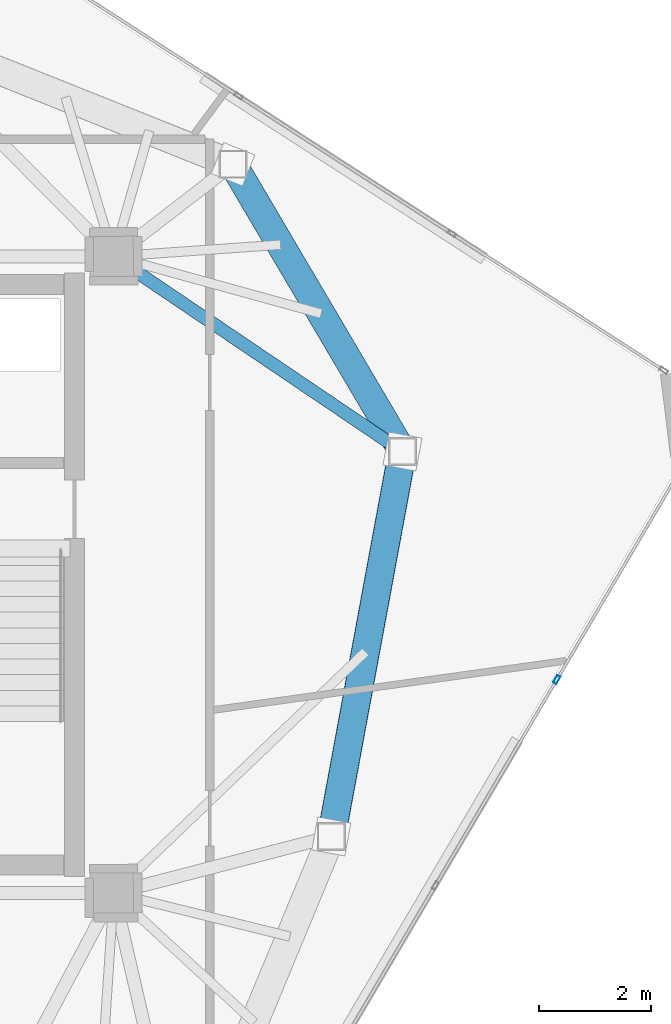
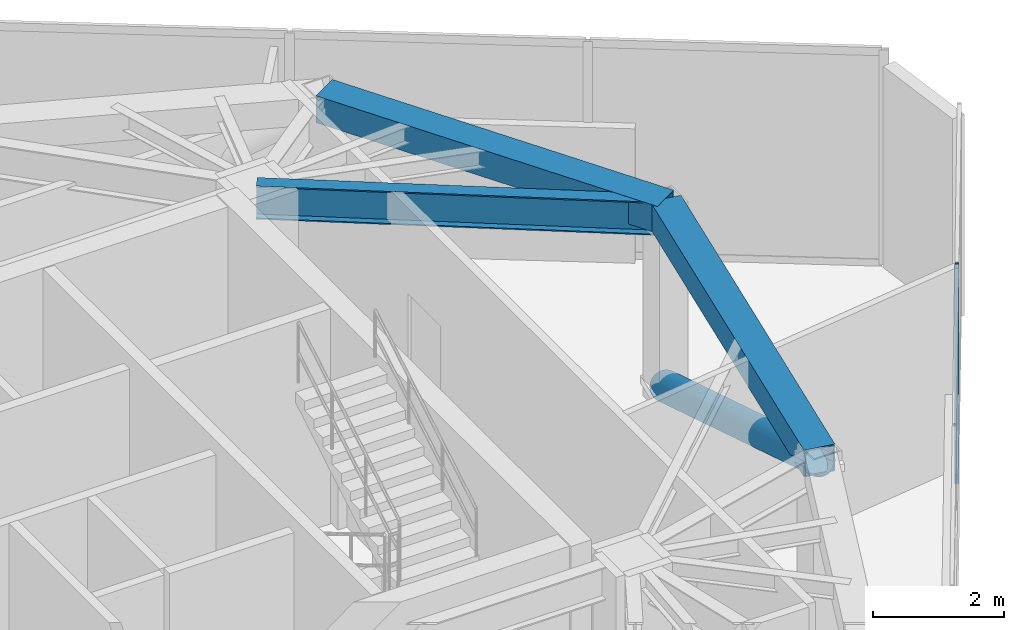
# One storey, part 11 of 19: 3 beams, 2 members, 1 element without a shape of its own.
"""IFC4 building model written with IfcOpenShell, lengths in metres."""

from ifc_helpers import new_model, si_unit, direction, frame, origin, origin_2d, place, context, subcontext, project, spatial, hollow_rectangle, hollow_circle, i_section, extrude, source, transform, mapped, material, layer, layer_set, material_profile, profile_set, type_object, type_shapes, element, aggregate, save


model = new_model("IFC4")

# Units and contexts
model_context = context("Model", 3, precision=1e-05, world=origin(), true_north=direction((0.0, 1.0)))
body_context = subcontext(model_context, "Body", "Model", "MODEL_VIEW")
ifc_project = project(units=[si_unit("LENGTHUNIT", "METRE"), si_unit("AREAUNIT", "SQUARE_METRE"), si_unit("VOLUMEUNIT", "CUBIC_METRE"), si_unit("PLANEANGLEUNIT", "RADIAN"), si_unit("MASSUNIT", "GRAM", prefix="KILO")], contexts=[model_context])

# Site, building, storey
site_placement = place(None, origin())
site = spatial("IfcSite", under=ifc_project, at=site_placement, CompositionType="ELEMENT")
building_placement = place(site_placement, origin())
building = spatial("IfcBuilding", under=site, at=building_placement, Name="Talar Marvaseh", CompositionType="ELEMENT")
storey_placement = place(building_placement, frame((0.0, 0.0, 296.0)))
storey = spatial("IfcBuildingStorey", under=building, at=storey_placement, Name="L79", CompositionType="ELEMENT", Elevation=296.0)

# Beams
ifc_material_1 = material(Name="Steel S460", Category="steel")
ifc_material_profile_1 = material_profile(ifc_material_1, hollow_rectangle(XDim=0.5, YDim=0.5, WallThickness=0.02490234375, at=origin_2d()), Name="BOX500x500x25")
ifc_profile_set_1 = profile_set([ifc_material_profile_1], Name="Steel S460")
beam_type_1 = type_object("IfcBeamType", Name="Crown Frame Top Ring Beam BOX500x500x25", PredefinedType="BEAM", material=ifc_profile_set_1)
beam_1_placement = place(storey_placement, frame((35.43798828125, 38.551025390625, 3.489990234375), z_axis=(0.507825587611, -0.861459907696, 0.0), x_axis=(0.861459907696, 0.507825587611, 0.0)))
element("IfcBeam", 1, at=beam_1_placement, inside=storey, type_object=beam_type_1, Name="L79 Crown Frame Top Ring Beam BOX500x500x25", PredefinedType="BEAM", context=body_context, shape_type="SweptSolid", body=[
    extrude(hollow_rectangle(XDim=0.5, YDim=0.5, WallThickness=0.02490234375, at=origin_2d()), origin(), (0.0, 0.0, 1.0), 5.972412109375),
])
beam_2_placement = place(storey_placement, frame((38.470947265625, 33.406005859375, 3.489990234375), z_axis=(-0.181759950929, -0.983342931148, 0.0), x_axis=(0.983342931148, -0.181759950929, 0.0)))
element("IfcBeam", 2, at=beam_2_placement, inside=storey, type_object=beam_type_1, Name="L79 Crown Frame Top Ring Beam BOX500x500x25", PredefinedType="BEAM", context=body_context, shape_type="SweptSolid", body=[
    extrude(hollow_rectangle(XDim=0.5, YDim=0.5, WallThickness=0.02490234375, at=origin_2d()), origin(), (0.0, 0.0, 1.0), 7.0087890625),
])
ifc_material_2 = material(Name="Steel S355", Category="steel")
ifc_material_profile_2 = material_profile(ifc_material_2, i_section(OverallWidth=0.22998046875, OverallDepth=0.616943359375, WebThickness=0.01318359375, FlangeThickness=0.022216796875, at=origin_2d()), Name="W610x140")
ifc_profile_set_2 = profile_set([ifc_material_profile_2], Name="Steel S355")
beam_type_2 = type_object("IfcBeamType", Name="Zone 4 Radial Floor Girder W610x140", PredefinedType="BEAM", material=ifc_profile_set_2)
beam_3_placement = place(storey_placement, frame((38.470947265625, 33.406005859375, 3.431396484375), z_axis=(-0.828585535277, 0.559862492698, 0.0), x_axis=(-0.559862492698, -0.828585535277, 0.0)))
element("IfcBeam", 3, at=beam_3_placement, inside=storey, type_object=beam_type_2, Name="L79 Zone 4 Radial Floor Girder W610x140", PredefinedType="BEAM", context=body_context, shape_type="SweptSolid", body=[
    extrude(i_section(OverallWidth=0.22998046875, OverallDepth=0.616943359375, WebThickness=0.01318359375, FlangeThickness=0.022216796875, at=origin_2d()), origin(), (0.0, 0.0, 1.0), 6.24072265625),
])

# Member
ifc_material_profile_3 = material_profile(ifc_material_1, hollow_circle(Radius=0.25390625, WallThickness=0.02001953125, at=origin_2d()), Name="CHS508x20")
ifc_profile_set_3 = profile_set([ifc_material_profile_3], Name="Steel S460")
member_type_1 = type_object("IfcMemberType", Name="Crown Frame Diagonal Brace CHS508x20", PredefinedType="BRACE", material=ifc_profile_set_3)
shared_shape_1 = source(origin(), body_context, "Body", "SweptSolid", [
    extrude(hollow_circle(Radius=0.25390625, WallThickness=0.02001953125, at=origin_2d()), origin(), (0.0, 0.0, 1.0), 7.721435546875),
])
type_shapes(member_type_1, [shared_shape_1])
member_1_placement = place(storey_placement, frame((38.470947265625, 33.406005859375, 0.25), z_axis=(-0.16498456322, -0.8925860904, 0.41960715571), x_axis=(0.983342931148, -0.181759950929, 0.0)))
element("IfcMember", 4, at=member_1_placement, inside=storey, type_object=member_type_1, Name="L79 Crown Frame Diagonal Brace 7", PredefinedType="BRACE", context=body_context, shape_type="MappedRepresentation", body=[
    mapped(shared_shape_1, transform((0.0, 0.0, 0.0), x_axis=(1.0, 0.0, 0.0), y_axis=(0.0, 1.0, 0.0), z_axis=(0.0, 0.0, 1.0), scale=1.0)),
])

# Curtain wall, member
ifc_material_3 = material(Name="Architectural Aluminium", Category="aluminium")
ifc_layer = layer(ifc_material_3, 0.2099609375)
ifc_layer_set = layer_set([ifc_layer], Name="Architectural Aluminium")
curtain_wall_type = type_object("IfcCurtainWallType", Name="Crown Plant Acoustic Spandrel Curtain Wall", PredefinedType="NOTDEFINED", material=ifc_layer_set)
curtain_wall_placement = place(storey_placement, origin())
curtain_wall = element("IfcCurtainWall", 5, at=curtain_wall_placement, inside=storey, type_object=curtain_wall_type, Name="L79 Crown Plant Acoustic Spandrel Curtain Wall", PredefinedType="NOTDEFINED")
ifc_material_profile_4 = material_profile(ifc_material_3, hollow_rectangle(XDim=0.06494140625, YDim=0.14990234375, WallThickness=0.00390625, at=origin_2d()), Name="RHS150x65x4")
ifc_profile_set_4 = profile_set([ifc_material_profile_4], Name="Architectural Aluminium")
member_type_2 = type_object("IfcMemberType", Name="Unitised Curtain Wall Slim Mullion RHS150x65x4", PredefinedType="MULLION", material=ifc_profile_set_4)
shared_shape_2 = source(origin(), body_context, "Body", "SweptSolid", [
    extrude(hollow_rectangle(XDim=0.06494140625, YDim=0.14990234375, WallThickness=0.00390625, at=origin_2d()), origin(), (0.0, 0.0, 1.0), 4.0),
])
type_shapes(member_type_2, [shared_shape_2])
member_2_placement = place(storey_placement, frame((41.23486328125, 29.32373046875, 0.0), z_axis=(0.0, 0.0, 1.0), x_axis=(0.861550579207, -0.507671743815, 0.0)))
member_2 = element("IfcMember", 6, at=member_2_placement, type_object=member_type_2, Name="CW-CRN mullion 2", PredefinedType="MULLION", context=body_context, shape_type="MappedRepresentation", body=[
    mapped(shared_shape_2, transform((0.0, 0.0, 0.0), x_axis=(1.0, 0.0, 0.0), y_axis=(0.0, 1.0, 0.0), z_axis=(0.0, 0.0, 1.0), scale=1.0)),
])
aggregate(curtain_wall, [member_2])

save(model, "model.ifc")
